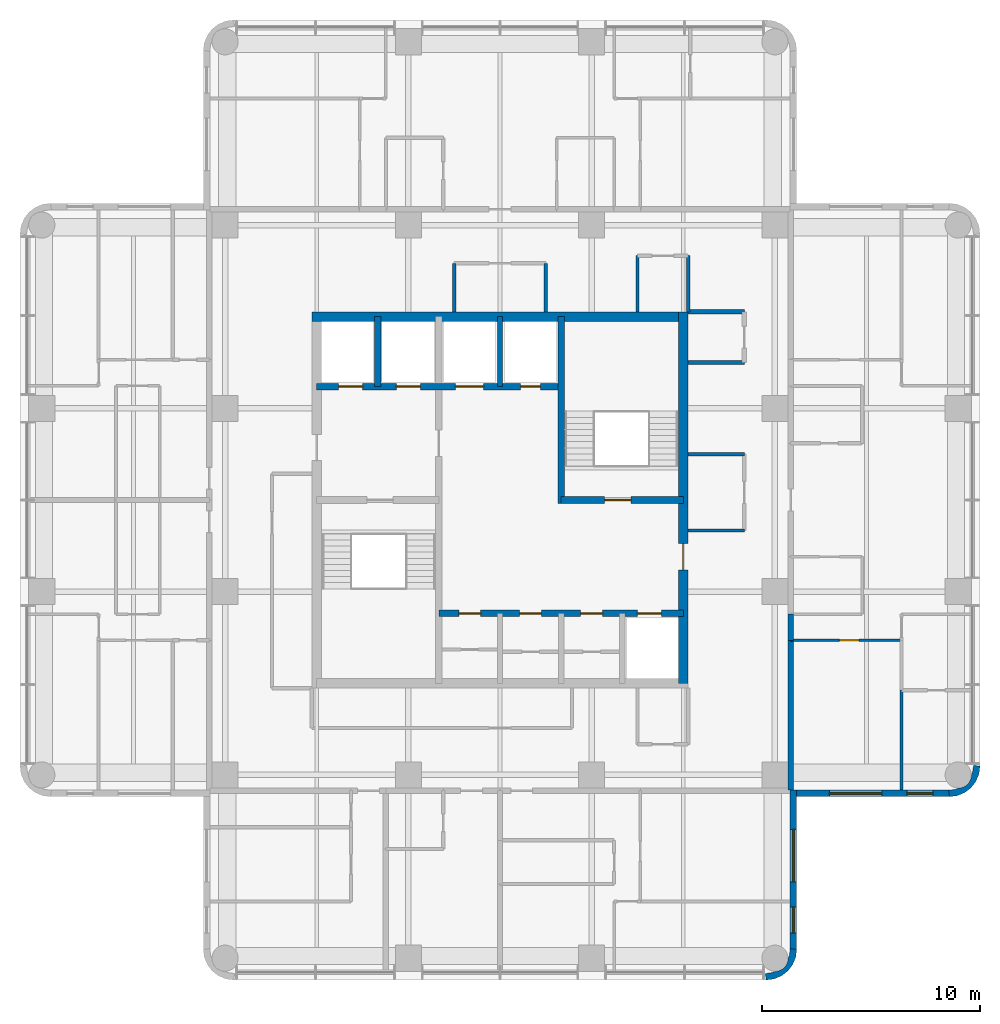
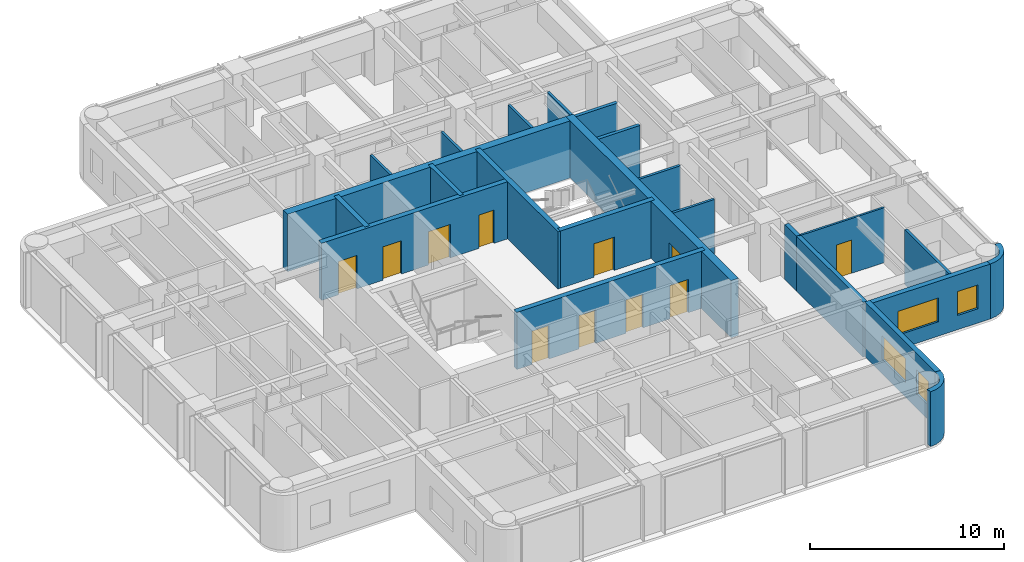
# One storey, part 6 of 10: 24 walls, 11 doors, 4 windows, 15 openings.
"""IFC4 building model written with IfcOpenShell, lengths in metres."""

from ifc_helpers import new_model, si_unit, direction, frame, frame_2d, origin, place, context, subcontext, project, spatial, polyline, rectangle, outline, extrude, material, layer, layer_set, type_object, element, fill, save


model = new_model("IFC4")

# Units and contexts
model_context = context("Model", 3, precision=1e-05, world=origin(), true_north=direction((0.0, 1.0)))
body_context = subcontext(model_context, "Body", "Model", "MODEL_VIEW")
ifc_project = project(units=[si_unit("LENGTHUNIT", "METRE"), si_unit("AREAUNIT", "SQUARE_METRE"), si_unit("VOLUMEUNIT", "CUBIC_METRE"), si_unit("PLANEANGLEUNIT", "RADIAN"), si_unit("MASSUNIT", "GRAM", prefix="KILO")], contexts=[model_context])

# Site, building, storey
site_placement = place(None, origin())
site = spatial("IfcSite", under=ifc_project, at=site_placement, CompositionType="ELEMENT")
building_placement = place(site_placement, origin())
building = spatial("IfcBuilding", under=site, at=building_placement, Name="Torre Alcanfor", CompositionType="ELEMENT")
storey_placement = place(building_placement, frame((0.0, 0.0, 264.89990234375)))
storey = spatial("IfcBuildingStorey", under=building, at=storey_placement, Name="L69", CompositionType="ELEMENT", Elevation=264.89990234375)

# Walls
ifc_material_1 = material(Name="Concrete block masonry, hollow blocks NMX-C-404 9 MPa", Category="masonry")
ifc_layer_1 = layer(ifc_material_1, 0.25)
ifc_layer_set_1 = layer_set([ifc_layer_1], Name="Apartment entrance wall 250 EI 60")
wall_type_1 = type_object("IfcWallType", Name="Apartment entrance wall 250 EI 60", PredefinedType="PARTITIONING", material=ifc_layer_set_1)
wall_1_placement = place(storey_placement, frame((42.72509765625, 24.1708984375, 0.0), z_axis=(0.0, 0.0, 1.0), x_axis=(0.0, -1.0, 0.0)))
element("IfcWall", 1, at=wall_1_placement, inside=storey, type_object=wall_type_1, Name="Partition L69-CORR / L69-EX-LIVING", PredefinedType="PARTITIONING", context=body_context, shape_type="SweptSolid", body=[
    extrude(rectangle(XDim=1.199951171875, YDim=0.25, at=frame_2d((0.60009765625, 0.0))), origin(), (0.0, 0.0, 1.0), 3.4501953125),
])
wall_2_placement = place(storey_placement, frame((42.72509765625, 22.970947265625, 0.0), z_axis=(0.0, 0.0, 1.0), x_axis=(0.0, -1.0, 0.0)))
element("IfcWall", 2, at=wall_2_placement, inside=storey, type_object=wall_type_1, Name="Partition L69-CORR / L69-EX-BED3", PredefinedType="PARTITIONING", context=body_context, shape_type="SweptSolid", body=[
    extrude(rectangle(XDim=6.870849609375, YDim=0.25, at=frame_2d((3.435546875, 0.0))), origin(), (0.0, 0.0, 1.0), 3.4501953125),
])

# Wall, opening, door
ifc_material_2 = material(Name="Gypsum board on steel studs", Category="steel")
ifc_layer_2 = layer(ifc_material_2, 0.1201171875)
ifc_layer_set_2 = layer_set([ifc_layer_2], Name="Apartment partition 120")
wall_type_2 = type_object("IfcWallType", Name="Apartment partition 120", PredefinedType="PARTITIONING", material=ifc_layer_set_2)
wall_3_placement = place(storey_placement, frame((47.800048828125, 22.970947265625, 0.0), z_axis=(0.0, 0.0, 1.0), x_axis=(-1.0, 0.0, 0.0)))
wall_3 = element("IfcWall", 3, at=wall_3_placement, inside=storey, type_object=wall_type_2, Name="Partition L69-EX-LIVING / L69-EX-BED3", PredefinedType="PARTITIONING", context=body_context, shape_type="SweptSolid", body=[
    extrude(rectangle(XDim=5.074951171875, YDim=0.1201171875, at=frame_2d((2.53759765625, 0.0))), origin(), (0.0, 0.0, 1.0), 3.4501953125),
])
opening_1_placement = place(wall_3_placement, frame((1.949951171875, 0.0, 0.0)))
opening_1 = element("IfcOpeningElement", 4, at=opening_1_placement, cuts=wall_3, Name="Opening D-R1", PredefinedType="OPENING", context=body_context, shape_type="SweptSolid", body=[
    extrude(rectangle(XDim=0.89990234375, YDim=2.10009765625, at=frame_2d((0.449951171875, 1.050048828125))), frame((0.0, 0.070068359375, 0.0), z_axis=(0.0, -1.0, 0.0), x_axis=(1.0, 0.0, 0.0)), (0.0, 0.0, 1.0), 0.14013671875),
])
ifc_material_3 = material(Name="Timber", Category="wood")
door_type_1 = type_object("IfcDoorType", Name="Internal door 900x2100", OperationType="SINGLE_SWING_LEFT", PredefinedType="DOOR", material=ifc_material_3)
door_1_placement = place(opening_1_placement, origin())
door_1 = element("IfcDoor", 5, at=door_1_placement, inside=storey, type_object=door_type_1, Name="Door L69-EX bed3", OperationType="SINGLE_SWING_LEFT", OverallHeight=2.10009765625, OverallWidth=0.89990234375, PredefinedType="DOOR", context=body_context, shape_type="SweptSolid", body=[
    extrude(rectangle(XDim=0.89990234375, YDim=2.10009765625, at=frame_2d((0.449951171875, 1.050048828125))), frame((0.0, 0.02490234375, 0.0), z_axis=(0.0, -1.0, 0.0), x_axis=(1.0, 0.0, 0.0)), (0.0, 0.0, 1.0), 0.050048828125),
])
fill(opening_1, door_1)

# Wall, openings, doors
ifc_material_4 = material(Name="Concrete f'c 70 MPa", Category="concrete")
ifc_layer_3 = layer(ifc_material_4, 0.300048828125)
ifc_layer_set_3 = layer_set([ifc_layer_3], Name="Core inner wall 300 f'c70")
wall_type_3 = type_object("IfcWallType", Name="Core inner wall 300 f'c70", PredefinedType="SHEAR", material=ifc_layer_set_3)
wall_4_placement = place(storey_placement, frame((21.0, 34.60009765625, 0.0), z_axis=(0.0, 0.0, 1.0), x_axis=(1.0, 0.0, 0.0)))
wall_4 = element("IfcWall", 6, at=wall_4_placement, inside=storey, type_object=wall_type_3, Name="Core wall Y346 L69", PredefinedType="SHEAR", context=body_context, shape_type="SweptSolid", body=[
    extrude(rectangle(XDim=11.199951171875, YDim=0.300048828125, at=frame_2d((5.60009765625, 0.0))), origin(), (0.0, 0.0, 1.0), 3.60009765625),
])
opening_2_placement = place(wall_4_placement, frame((9.35009765625, 0.0, 0.0)))
opening_2 = element("IfcOpeningElement", 7, at=opening_2_placement, cuts=wall_4, Name="Opening D-Q1", PredefinedType="OPENING", context=body_context, shape_type="SweptSolid", body=[
    extrude(rectangle(XDim=0.89990234375, YDim=2.10009765625, at=frame_2d((0.449951171875, 1.050048828125))), frame((0.0, 0.159912109375, 0.0), z_axis=(0.0, -1.0, 0.0), x_axis=(1.0, 0.0, 0.0)), (0.0, 0.0, 1.0), 0.320068359375),
])
opening_3_placement = place(wall_4_placement, frame((1.0, 0.0, 0.0)))
opening_3 = element("IfcOpeningElement", 8, at=opening_3_placement, cuts=wall_4, Name="Opening LD2", PredefinedType="OPENING", context=body_context, shape_type="SweptSolid", body=[
    extrude(rectangle(XDim=1.10009765625, YDim=2.10009765625, at=frame_2d((0.550048828125, 1.050048828125))), frame((0.0, 0.159912109375, 0.0), z_axis=(0.0, -1.0, 0.0), x_axis=(1.0, 0.0, 0.0)), (0.0, 0.0, 1.0), 0.320068359375),
])
opening_4_placement = place(wall_4_placement, frame((3.64990234375, 0.0, 0.0)))
opening_4 = element("IfcOpeningElement", 9, at=opening_4_placement, cuts=wall_4, Name="Opening LD2", PredefinedType="OPENING", context=body_context, shape_type="SweptSolid", body=[
    extrude(rectangle(XDim=1.10009765625, YDim=2.10009765625, at=frame_2d((0.550048828125, 1.050048828125))), frame((0.0, 0.159912109375, 0.0), z_axis=(0.0, -1.0, 0.0), x_axis=(1.0, 0.0, 0.0)), (0.0, 0.0, 1.0), 0.320068359375),
])
opening_5_placement = place(wall_4_placement, frame((6.35009765625, 0.0, 0.0)))
opening_5 = element("IfcOpeningElement", 10, at=opening_5_placement, cuts=wall_4, Name="Opening LD3", PredefinedType="OPENING", context=body_context, shape_type="SweptSolid", body=[
    extrude(rectangle(XDim=1.300048828125, YDim=2.10009765625, at=frame_2d((0.64990234375, 1.050048828125))), frame((0.0, 0.159912109375, 0.0), z_axis=(0.0, -1.0, 0.0), x_axis=(1.0, 0.0, 0.0)), (0.0, 0.0, 1.0), 0.320068359375),
])
ifc_material_5 = material(Name="Galvanised steel sheet ASTM A653", Category="steel")
door_type_2 = type_object("IfcDoorType", Name="Firefighting lift landing door 1100x2100", OperationType="DOUBLE_DOOR_SLIDING", PredefinedType="DOOR", material=ifc_material_5)
door_2_placement = place(opening_3_placement, origin())
door_2 = element("IfcDoor", 11, at=door_2_placement, inside=storey, type_object=door_type_2, Name="Lift landing door FL1 L69", OperationType="DOUBLE_DOOR_SLIDING", OverallHeight=2.10009765625, OverallWidth=1.10009765625, PredefinedType="DOOR", context=body_context, shape_type="SweptSolid", body=[
    extrude(rectangle(XDim=1.10009765625, YDim=2.10009765625, at=frame_2d((0.550048828125, 1.050048828125))), frame((0.0, 0.02490234375, 0.0), z_axis=(0.0, -1.0, 0.0), x_axis=(1.0, 0.0, 0.0)), (0.0, 0.0, 1.0), 0.050048828125),
])
fill(opening_3, door_2)
door_3_placement = place(opening_4_placement, origin())
door_3 = element("IfcDoor", 12, at=door_3_placement, inside=storey, type_object=door_type_2, Name="Lift landing door FL2 L69", OperationType="DOUBLE_DOOR_SLIDING", OverallHeight=2.10009765625, OverallWidth=1.10009765625, PredefinedType="DOOR", context=body_context, shape_type="SweptSolid", body=[
    extrude(rectangle(XDim=1.10009765625, YDim=2.10009765625, at=frame_2d((0.550048828125, 1.050048828125))), frame((0.0, 0.02490234375, 0.0), z_axis=(0.0, -1.0, 0.0), x_axis=(1.0, 0.0, 0.0)), (0.0, 0.0, 1.0), 0.050048828125),
])
fill(opening_4, door_3)
ifc_material_6 = material(Name="Galvanised steel sheet ASTM A653", Category="steel")
door_type_3 = type_object("IfcDoorType", Name="Riser access door FD120 900x2100", OperationType="SINGLE_SWING_LEFT", PredefinedType="DOOR", material=ifc_material_6)
door_4_placement = place(opening_2_placement, origin())
door_4 = element("IfcDoor", 13, at=door_4_placement, inside=storey, type_object=door_type_3, Name="Riser door L69", OperationType="SINGLE_SWING_LEFT", OverallHeight=2.10009765625, OverallWidth=0.89990234375, PredefinedType="DOOR", context=body_context, shape_type="SweptSolid", body=[
    extrude(rectangle(XDim=0.89990234375, YDim=2.10009765625, at=frame_2d((0.449951171875, 1.050048828125))), frame((0.0, 0.02490234375, 0.0), z_axis=(0.0, -1.0, 0.0), x_axis=(1.0, 0.0, 0.0)), (0.0, 0.0, 1.0), 0.050048828125),
])
fill(opening_2, door_4)
ifc_material_7 = material(Name="Galvanised steel sheet ASTM A653", Category="steel")
door_type_4 = type_object("IfcDoorType", Name="Service lift landing door 1300x2100", OperationType="DOUBLE_DOOR_SLIDING", PredefinedType="DOOR", material=ifc_material_7)
door_5_placement = place(opening_5_placement, origin())
door_5 = element("IfcDoor", 14, at=door_5_placement, inside=storey, type_object=door_type_4, Name="Lift landing door SL1 L69", OperationType="DOUBLE_DOOR_SLIDING", OverallHeight=2.10009765625, OverallWidth=1.300048828125, PredefinedType="DOOR", context=body_context, shape_type="SweptSolid", body=[
    extrude(rectangle(XDim=1.300048828125, YDim=2.10009765625, at=frame_2d((0.64990234375, 1.050048828125))), frame((0.0, 0.02490234375, 0.0), z_axis=(0.0, -1.0, 0.0), x_axis=(1.0, 0.0, 0.0)), (0.0, 0.0, 1.0), 0.050048828125),
])
fill(opening_5, door_5)

# Wall
wall_5_placement = place(storey_placement, frame((23.800048828125, 34.60009765625, 0.0), z_axis=(0.0, 0.0, 1.0), x_axis=(0.0, 1.0, 0.0)))
element("IfcWall", 15, at=wall_5_placement, inside=storey, type_object=wall_type_3, Name="Core wall X238 L69", PredefinedType="SHEAR", context=body_context, shape_type="SweptSolid", body=[
    extrude(rectangle(XDim=3.199951171875, YDim=0.300048828125, at=frame_2d((1.60009765625, 0.0))), origin(), (0.0, 0.0, 1.0), 3.60009765625),
])

# Wall, openings, doors
wall_6_placement = place(storey_placement, frame((26.60009765625, 24.199951171875, 0.0), z_axis=(0.0, 0.0, 1.0), x_axis=(1.0, 0.0, 0.0)))
wall_6 = element("IfcWall", 16, at=wall_6_placement, inside=storey, type_object=wall_type_3, Name="Core wall Y242 L69", PredefinedType="SHEAR", context=body_context, shape_type="SweptSolid", body=[
    extrude(rectangle(XDim=11.199951171875, YDim=0.300048828125, at=frame_2d((5.60009765625, 0.0))), origin(), (0.0, 0.0, 1.0), 3.60009765625),
])
opening_6_placement = place(wall_6_placement, frame((0.91259765625, 0.0, 0.0)))
opening_6 = element("IfcOpeningElement", 17, at=opening_6_placement, cuts=wall_6, Name="Opening D-K1", PredefinedType="OPENING", context=body_context, shape_type="SweptSolid", body=[
    extrude(rectangle(XDim=1.0, YDim=2.10009765625, at=frame_2d((0.5, 1.050048828125))), frame((0.0, 0.159912109375, 0.0), z_axis=(0.0, -1.0, 0.0), x_axis=(1.0, 0.0, 0.0)), (0.0, 0.0, 1.0), 0.320068359375),
])
opening_7_placement = place(wall_6_placement, frame((3.699951171875, 0.0, 0.0)))
opening_7 = element("IfcOpeningElement", 18, at=opening_7_placement, cuts=wall_6, Name="Opening D-K1", PredefinedType="OPENING", context=body_context, shape_type="SweptSolid", body=[
    extrude(rectangle(XDim=1.0, YDim=2.10009765625, at=frame_2d((0.5, 1.050048828125))), frame((0.0, 0.159912109375, 0.0), z_axis=(0.0, -1.0, 0.0), x_axis=(1.0, 0.0, 0.0)), (0.0, 0.0, 1.0), 0.320068359375),
])
opening_8_placement = place(wall_6_placement, frame((6.5, 0.0, 0.0)))
opening_8 = element("IfcOpeningElement", 19, at=opening_8_placement, cuts=wall_6, Name="Opening D-K1", PredefinedType="OPENING", context=body_context, shape_type="SweptSolid", body=[
    extrude(rectangle(XDim=1.0, YDim=2.10009765625, at=frame_2d((0.5, 1.050048828125))), frame((0.0, 0.159912109375, 0.0), z_axis=(0.0, -1.0, 0.0), x_axis=(1.0, 0.0, 0.0)), (0.0, 0.0, 1.0), 0.320068359375),
])
opening_9_placement = place(wall_6_placement, frame((9.10009765625, 0.0, 0.0)))
opening_9 = element("IfcOpeningElement", 20, at=opening_9_placement, cuts=wall_6, Name="Opening LD1", PredefinedType="OPENING", context=body_context, shape_type="SweptSolid", body=[
    extrude(rectangle(XDim=1.10009765625, YDim=2.10009765625, at=frame_2d((0.550048828125, 1.050048828125))), frame((0.0, 0.159912109375, 0.0), z_axis=(0.0, -1.0, 0.0), x_axis=(1.0, 0.0, 0.0)), (0.0, 0.0, 1.0), 0.320068359375),
])
ifc_material_8 = material(Name="Galvanised steel sheet ASTM A653", Category="steel")
door_type_5 = type_object("IfcDoorType", Name="Core room door FD60 1000x2100", OperationType="SINGLE_SWING_LEFT", PredefinedType="DOOR", material=ifc_material_8)
door_6_placement = place(opening_6_placement, frame((1.0, 0.0, 0.0), z_axis=(0.0, 0.0, 1.0), x_axis=(-1.0, 0.0, 0.0)))
door_6 = element("IfcDoor", 21, at=door_6_placement, inside=storey, type_object=door_type_5, Name="Residents' storage door L69", OperationType="SINGLE_SWING_RIGHT", OverallHeight=2.10009765625, OverallWidth=1.0, PredefinedType="DOOR", context=body_context, shape_type="SweptSolid", body=[
    extrude(rectangle(XDim=1.0, YDim=2.10009765625, at=frame_2d((0.5, 1.050048828125))), frame((0.0, 0.025146484375, 0.0), z_axis=(0.0, -1.0, 0.0), x_axis=(1.0, 0.0, 0.0)), (0.0, 0.0, 1.0), 0.050048828125),
])
fill(opening_6, door_6)
door_7_placement = place(opening_7_placement, frame((1.0, 0.0, 0.0), z_axis=(0.0, 0.0, 1.0), x_axis=(-1.0, 0.0, 0.0)))
door_7 = element("IfcDoor", 22, at=door_7_placement, inside=storey, type_object=door_type_5, Name="Pantry door L69", OperationType="SINGLE_SWING_RIGHT", OverallHeight=2.10009765625, OverallWidth=1.0, PredefinedType="DOOR", context=body_context, shape_type="SweptSolid", body=[
    extrude(rectangle(XDim=1.0, YDim=2.10009765625, at=frame_2d((0.5, 1.050048828125))), frame((0.0, 0.025146484375, 0.0), z_axis=(0.0, -1.0, 0.0), x_axis=(1.0, 0.0, 0.0)), (0.0, 0.0, 1.0), 0.050048828125),
])
fill(opening_7, door_7)
door_8_placement = place(opening_8_placement, frame((1.0, 0.0, 0.0), z_axis=(0.0, 0.0, 1.0), x_axis=(-1.0, 0.0, 0.0)))
door_8 = element("IfcDoor", 23, at=door_8_placement, inside=storey, type_object=door_type_5, Name="Linen store door L69", OperationType="SINGLE_SWING_RIGHT", OverallHeight=2.10009765625, OverallWidth=1.0, PredefinedType="DOOR", context=body_context, shape_type="SweptSolid", body=[
    extrude(rectangle(XDim=1.0, YDim=2.10009765625, at=frame_2d((0.5, 1.050048828125))), frame((0.0, 0.025146484375, 0.0), z_axis=(0.0, -1.0, 0.0), x_axis=(1.0, 0.0, 0.0)), (0.0, 0.0, 1.0), 0.050048828125),
])
fill(opening_8, door_8)
ifc_material_9 = material(Name="Galvanised steel sheet ASTM A653", Category="steel")
door_type_6 = type_object("IfcDoorType", Name="Lift landing door 1100x2100", OperationType="DOUBLE_DOOR_SLIDING", PredefinedType="DOOR", material=ifc_material_9)
door_9_placement = place(opening_9_placement, origin())
door_9 = element("IfcDoor", 24, at=door_9_placement, inside=storey, type_object=door_type_6, Name="Lift landing door PA4 L69", OperationType="DOUBLE_DOOR_SLIDING", OverallHeight=2.10009765625, OverallWidth=1.10009765625, PredefinedType="DOOR", context=body_context, shape_type="SweptSolid", body=[
    extrude(rectangle(XDim=1.10009765625, YDim=2.10009765625, at=frame_2d((0.550048828125, 1.050048828125))), frame((0.0, 0.02490234375, 0.0), z_axis=(0.0, -1.0, 0.0), x_axis=(1.0, 0.0, 0.0)), (0.0, 0.0, 1.0), 0.050048828125),
])
fill(opening_9, door_9)

# Wall
wall_7_placement = place(storey_placement, frame((32.199951171875, 29.25, 0.0), z_axis=(0.0, 0.0, 1.0), x_axis=(0.0, 1.0, 0.0)))
element("IfcWall", 25, at=wall_7_placement, inside=storey, type_object=wall_type_3, Name="Core wall X322N L69", PredefinedType="SHEAR", context=body_context, shape_type="SweptSolid", body=[
    extrude(rectangle(XDim=8.550048828125, YDim=0.300048828125, at=frame_2d((4.27490234375, 0.0))), origin(), (0.0, 0.0, 1.0), 3.60009765625),
])

# Wall, opening, door
wall_8_placement = place(storey_placement, frame((32.199951171875, 29.39990234375, 0.0), z_axis=(0.0, 0.0, 1.0), x_axis=(1.0, 0.0, 0.0)))
wall_8 = element("IfcWall", 26, at=wall_8_placement, inside=storey, type_object=wall_type_3, Name="Core wall Y294E L69", PredefinedType="SHEAR", context=body_context, shape_type="SweptSolid", body=[
    extrude(rectangle(XDim=5.60009765625, YDim=0.300048828125, at=frame_2d((2.800048828125, 0.0))), origin(), (0.0, 0.0, 1.0), 3.60009765625),
])
opening_10_placement = place(wall_8_placement, frame((2.0, 0.0, 0.0)))
opening_10 = element("IfcOpeningElement", 27, at=opening_10_placement, cuts=wall_8, Name="Opening D-S2", PredefinedType="OPENING", context=body_context, shape_type="SweptSolid", body=[
    extrude(rectangle(XDim=1.199951171875, YDim=2.10009765625, at=frame_2d((0.60009765625, 1.050048828125))), frame((0.0, 0.159912109375, 0.0), z_axis=(0.0, -1.0, 0.0), x_axis=(1.0, 0.0, 0.0)), (0.0, 0.0, 1.0), 0.320068359375),
])
ifc_material_10 = material(Name="Galvanised steel sheet ASTM A653", Category="steel")
door_type_7 = type_object("IfcDoorType", Name="Stair enclosure door FD120 1200x2100", OperationType="SINGLE_SWING_LEFT", PredefinedType="DOOR", material=ifc_material_10)
door_10_placement = place(opening_10_placement, origin())
door_10 = element("IfcDoor", 28, at=door_10_placement, inside=storey, type_object=door_type_7, Name="Stair S2 door L69", OperationType="SINGLE_SWING_LEFT", OverallHeight=2.10009765625, OverallWidth=1.199951171875, PredefinedType="DOOR", context=body_context, shape_type="SweptSolid", body=[
    extrude(rectangle(XDim=1.199951171875, YDim=2.10009765625, at=frame_2d((0.60009765625, 1.050048828125))), frame((0.0, 0.02490234375, 0.0), z_axis=(0.0, -1.0, 0.0), x_axis=(1.0, 0.0, 0.0)), (0.0, 0.0, 1.0), 0.050048828125),
])
fill(opening_10, door_10)

# Wall
ifc_material_11 = material(Name="Concrete f'c 70 MPa", Category="concrete")
ifc_layer_4 = layer(ifc_material_11, 0.25)
ifc_layer_set_4 = layer_set([ifc_layer_4], Name="Core shaft wall 250 f'c70")
wall_type_4 = type_object("IfcWallType", Name="Core shaft wall 250 f'c70", PredefinedType="SHEAR", material=ifc_layer_set_4)
wall_9_placement = place(storey_placement, frame((29.39990234375, 34.60009765625, 0.0), z_axis=(0.0, 0.0, 1.0), x_axis=(0.0, 1.0, 0.0)))
element("IfcWall", 29, at=wall_9_placement, inside=storey, type_object=wall_type_4, Name="Core wall X294N L69", PredefinedType="SHEAR", context=body_context, shape_type="SweptSolid", body=[
    extrude(rectangle(XDim=3.199951171875, YDim=0.25, at=frame_2d((1.60009765625, 0.0))), origin(), (0.0, 0.0, 1.0), 3.60009765625),
])

# Wall, opening, door
ifc_material_12 = material(Name="Concrete f'c 70 MPa", Category="concrete")
ifc_layer_5 = layer(ifc_material_12, 0.449951171875)
ifc_layer_set_5 = layer_set([ifc_layer_5], Name="Core wall 450 f'c70")
wall_type_5 = type_object("IfcWallType", Name="Core wall 450 f'c70", PredefinedType="SHEAR", material=ifc_layer_set_5)
wall_10_placement = place(storey_placement, frame((37.800048828125, 21.0, 0.0), z_axis=(0.0, 0.0, 1.0), x_axis=(0.0, 1.0, 0.0)))
wall_10 = element("IfcWall", 30, at=wall_10_placement, inside=storey, type_object=wall_type_5, Name="Core wall OUT-E L69", PredefinedType="SHEAR", context=body_context, shape_type="SweptSolid", body=[
    extrude(rectangle(XDim=17.02490234375, YDim=0.449951171875, at=frame_2d((8.512451171875, 0.0))), origin(), (0.0, 0.0, 1.0), 3.60009765625),
])
opening_11_placement = place(wall_10_placement, frame((5.199951171875, 0.0, 0.0)))
opening_11 = element("IfcOpeningElement", 31, at=opening_11_placement, cuts=wall_10, Name="Opening D-L1", PredefinedType="OPENING", context=body_context, shape_type="SweptSolid", body=[
    extrude(rectangle(XDim=1.199951171875, YDim=2.10009765625, at=frame_2d((0.60009765625, 1.050048828125))), frame((0.0, 0.23486328125, 0.0), z_axis=(0.0, -1.0, 0.0), x_axis=(1.0, 0.0, 0.0)), (0.0, 0.0, 1.0), 0.469970703125),
])
ifc_material_13 = material(Name="Galvanised steel sheet ASTM A653", Category="steel")
door_type_8 = type_object("IfcDoorType", Name="Lobby door FD120 1200x2100", OperationType="SINGLE_SWING_LEFT", PredefinedType="DOOR", material=ifc_material_13)
door_11_placement = place(opening_11_placement, origin())
door_11 = element("IfcDoor", 32, at=door_11_placement, inside=storey, type_object=door_type_8, Name="Lift lobby entrance door L69", OperationType="SINGLE_SWING_LEFT", OverallHeight=2.10009765625, OverallWidth=1.199951171875, PredefinedType="DOOR", context=body_context, shape_type="SweptSolid", body=[
    extrude(rectangle(XDim=1.199951171875, YDim=2.10009765625, at=frame_2d((0.60009765625, 1.050048828125))), frame((0.0, 0.02490234375, 0.0), z_axis=(0.0, -1.0, 0.0), x_axis=(1.0, 0.0, 0.0)), (0.0, 0.0, 1.0), 0.050048828125),
])
fill(opening_11, door_11)

# Wall
wall_11_placement = place(storey_placement, frame((37.800048828125, 37.800048828125, 0.0), z_axis=(0.0, 0.0, 1.0), x_axis=(-1.0, 0.0, 0.0)))
element("IfcWall", 33, at=wall_11_placement, inside=storey, type_object=wall_type_5, Name="Core wall OUT-N L69", PredefinedType="SHEAR", context=body_context, shape_type="SweptSolid", body=[
    extrude(rectangle(XDim=17.025146484375, YDim=0.449951171875, at=frame_2d((8.5126953125, 0.0))), origin(), (0.0, 0.0, 1.0), 3.60009765625),
])

# Wall, openings, windows
ifc_material_14 = material(Name="Limestone cladding", Category="masonry")
ifc_layer_6 = layer(ifc_material_14, 0.0400390625, Name="Facing")
ifc_material_15 = material(Name="Ventilated air cavity")
ifc_layer_7 = layer(ifc_material_15, 0.02001953125, ventilated=True, Name="Ventilated joint")
ifc_material_16 = material(Name="Mineral wool insulation", Category="insulation")
ifc_layer_8 = layer(ifc_material_16, 0.10009765625, Name="Insulation")
ifc_material_17 = material(Name="Concrete f'c 35 MPa", Category="concrete")
ifc_layer_9 = layer(ifc_material_17, 0.139892578125, Name="Backing")
ifc_layer_set_6 = layer_set([ifc_layer_6, ifc_layer_7, ifc_layer_8, ifc_layer_9], Name="External wall stone-clad 300")
wall_type_6 = type_object("IfcWallType", Name="External wall stone-clad 300", PredefinedType="SOLIDWALL", material=ifc_layer_set_6)
wall_12_placement = place(storey_placement, frame((42.85009765625, 8.800048828125, 0.0), z_axis=(0.0, 0.0, 1.0), x_axis=(0.0, 1.0, 0.0)))
wall_12 = element("IfcWall", 34, at=wall_12_placement, inside=storey, type_object=wall_type_6, Name="External wall L69 6", PredefinedType="SOLIDWALL", context=body_context, shape_type="SweptSolid", body=[
    extrude(rectangle(XDim=7.300048828125, YDim=0.300048828125, at=frame_2d((3.64990234375, 0.0))), origin(), (0.0, 0.0, 1.0), 3.4501953125),
])
opening_12_placement = place(wall_12_placement, frame((3.10009765625, 0.0, 0.89990234375)))
opening_12 = element("IfcOpeningElement", 35, at=opening_12_placement, cuts=wall_12, Name="Opening W1", PredefinedType="OPENING", context=body_context, shape_type="SweptSolid", body=[
    extrude(rectangle(XDim=2.39990234375, YDim=1.5, at=frame_2d((1.199951171875, 0.75))), frame((0.0, 0.159912109375, 0.0), z_axis=(0.0, -1.0, 0.0), x_axis=(1.0, 0.0, 0.0)), (0.0, 0.0, 1.0), 0.320068359375),
])
opening_13_placement = place(wall_12_placement, frame((0.75, 0.0, 0.89990234375)))
opening_13 = element("IfcOpeningElement", 36, at=opening_13_placement, cuts=wall_12, Name="Opening W4", PredefinedType="OPENING", context=body_context, shape_type="SweptSolid", body=[
    extrude(rectangle(XDim=1.199951171875, YDim=1.5, at=frame_2d((0.60009765625, 0.75))), frame((0.0, 0.159912109375, 0.0), z_axis=(0.0, -1.0, 0.0), x_axis=(1.0, 0.0, 0.0)), (0.0, 0.0, 1.0), 0.320068359375),
])
ifc_material_18 = material(Name="Aluminium frame with clear double glazing", Category="aluminium")
window_type_1 = type_object("IfcWindowType", Name="Window bedroom 1200x1500", PartitioningType="SINGLE_PANEL", PredefinedType="WINDOW", material=ifc_material_18)
window_1_placement = place(opening_13_placement, origin())
window_1 = element("IfcWindow", 37, at=window_1_placement, inside=storey, type_object=window_type_1, Name="Window W4 L69-S1", OverallHeight=1.5, OverallWidth=1.199951171875, PartitioningType="SINGLE_PANEL", PredefinedType="WINDOW", context=body_context, shape_type="SweptSolid", body=[
    extrude(rectangle(XDim=1.199951171875, YDim=1.5, at=frame_2d((0.60009765625, 0.75))), frame((0.0, 0.030029296875, 0.0), z_axis=(0.0, -1.0, 0.0), x_axis=(1.0, 0.0, 0.0)), (0.0, 0.0, 1.0), 0.06005859375),
])
fill(opening_13, window_1)
ifc_material_19 = material(Name="Aluminium frame with clear double glazing", Category="aluminium")
window_type_2 = type_object("IfcWindowType", Name="Window bedroom 2400x1500", PartitioningType="SINGLE_PANEL", PredefinedType="WINDOW", material=ifc_material_19)
window_2_placement = place(opening_12_placement, origin())
window_2 = element("IfcWindow", 38, at=window_2_placement, inside=storey, type_object=window_type_2, Name="Window W1 L69-S1", OverallHeight=1.5, OverallWidth=2.39990234375, PartitioningType="SINGLE_PANEL", PredefinedType="WINDOW", context=body_context, shape_type="SweptSolid", body=[
    extrude(rectangle(XDim=2.39990234375, YDim=1.5, at=frame_2d((1.199951171875, 0.75))), frame((0.0, 0.030029296875, 0.0), z_axis=(0.0, -1.0, 0.0), x_axis=(1.0, 0.0, 0.0)), (0.0, 0.0, 1.0), 0.06005859375),
])
fill(opening_12, window_2)

wall_13_placement = place(storey_placement, frame((43.0, 15.949951171875, 0.0), z_axis=(0.0, 0.0, 1.0), x_axis=(1.0, 0.0, 0.0)))
wall_13 = element("IfcWall", 39, at=wall_13_placement, inside=storey, type_object=wall_type_6, Name="External wall L69 7", PredefinedType="SOLIDWALL", context=body_context, shape_type="SweptSolid", body=[
    extrude(rectangle(XDim=7.0, YDim=0.300048828125, at=frame_2d((3.5, 0.0))), origin(), (0.0, 0.0, 1.0), 3.4501953125),
])
opening_14_placement = place(wall_13_placement, frame((1.5, 0.0, 0.89990234375)))
opening_14 = element("IfcOpeningElement", 40, at=opening_14_placement, cuts=wall_13, Name="Opening W1", PredefinedType="OPENING", context=body_context, shape_type="SweptSolid", body=[
    extrude(rectangle(XDim=2.39990234375, YDim=1.5, at=frame_2d((1.199951171875, 0.75))), frame((0.0, 0.159912109375, 0.0), z_axis=(0.0, -1.0, 0.0), x_axis=(1.0, 0.0, 0.0)), (0.0, 0.0, 1.0), 0.320068359375),
])
opening_15_placement = place(wall_13_placement, frame((5.050048828125, 0.0, 0.89990234375)))
opening_15 = element("IfcOpeningElement", 41, at=opening_15_placement, cuts=wall_13, Name="Opening W4", PredefinedType="OPENING", context=body_context, shape_type="SweptSolid", body=[
    extrude(rectangle(XDim=1.199951171875, YDim=1.5, at=frame_2d((0.60009765625, 0.75))), frame((0.0, 0.159912109375, 0.0), z_axis=(0.0, -1.0, 0.0), x_axis=(1.0, 0.0, 0.0)), (0.0, 0.0, 1.0), 0.320068359375),
])
window_3_placement = place(opening_15_placement, origin())
window_3 = element("IfcWindow", 42, at=window_3_placement, inside=storey, type_object=window_type_1, Name="Window W4 L69-E2", OverallHeight=1.5, OverallWidth=1.199951171875, PartitioningType="SINGLE_PANEL", PredefinedType="WINDOW", context=body_context, shape_type="SweptSolid", body=[
    extrude(rectangle(XDim=1.199951171875, YDim=1.5, at=frame_2d((0.60009765625, 0.75))), frame((0.0, 0.030029296875, 0.0), z_axis=(0.0, -1.0, 0.0), x_axis=(1.0, 0.0, 0.0)), (0.0, 0.0, 1.0), 0.06005859375),
])
fill(opening_15, window_3)
window_4_placement = place(opening_14_placement, origin())
window_4 = element("IfcWindow", 43, at=window_4_placement, inside=storey, type_object=window_type_2, Name="Window W1 L69-E2", OverallHeight=1.5, OverallWidth=2.39990234375, PartitioningType="SINGLE_PANEL", PredefinedType="WINDOW", context=body_context, shape_type="SweptSolid", body=[
    extrude(rectangle(XDim=2.39990234375, YDim=1.5, at=frame_2d((1.199951171875, 0.75))), frame((0.0, 0.030029296875, 0.0), z_axis=(0.0, -1.0, 0.0), x_axis=(1.0, 0.0, 0.0)), (0.0, 0.0, 1.0), 0.06005859375),
])
fill(opening_14, window_4)

# Walls
ifc_material_20 = material(Name="Concrete block masonry, hollow blocks NMX-C-404 9 MPa", Category="masonry")
ifc_layer_10 = layer(ifc_material_20, 0.199951171875)
ifc_layer_set_7 = layer_set([ifc_layer_10], Name="Plant room wall 200 EI 60")
wall_type_7 = type_object("IfcWallType", Name="Plant room wall 200 EI 60", PredefinedType="PARTITIONING", material=ifc_layer_set_7)
for number, where, z_axis, x_axis, name in (
    (44, (38.02490234375, 35.699951171875, 0.0), (0.0, 0.0, 1.0), (1.0, 0.0, 0.0), "Partition L69-CORR / L69-G04"),
    (45, (40.60009765625, 38.02490234375, 0.0), (0.0, 0.0, 1.0), (-1.0, 0.0, 0.0), "Partition L69-CORR / L69-G04"),
):
    element("IfcWall", number, at=place(storey_placement, frame(where, z_axis=z_axis, x_axis=x_axis)), inside=storey, type_object=wall_type_7, Name=name, PredefinedType="PARTITIONING", context=body_context, shape_type="SweptSolid", body=[
        extrude(rectangle(XDim=2.5751953125, YDim=0.199951171875, at=frame_2d((1.28759765625, 0.0))), origin(), (0.0, 0.0, 1.0), 3.4501953125),
    ])
ifc_material_21 = material(Name="Concrete block masonry, hollow blocks NMX-C-404 9 MPa", Category="masonry")
ifc_layer_11 = layer(ifc_material_21, 0.14990234375)
ifc_layer_set_8 = layer_set([ifc_layer_11], Name="Residents' room partition 150")
wall_type_8 = type_object("IfcWallType", Name="Residents' room partition 150", PredefinedType="PARTITIONING", material=ifc_layer_set_8)
for number, where, z_axis, x_axis, name in (
    (46, (31.5, 38.02490234375, 0.0), (0.0, 0.0, 1.0), (0.0, 1.0, 0.0), "Partition L69-CORR / L69-G01"),
    (47, (27.300048828125, 40.25, 0.0), (0.0, 0.0, 1.0), (0.0, -1.0, 0.0), "Partition L69-CORR / L69-G01"),
):
    element("IfcWall", number, at=place(storey_placement, frame(where, z_axis=z_axis, x_axis=x_axis)), inside=storey, type_object=wall_type_8, Name=name, PredefinedType="PARTITIONING", context=body_context, shape_type="SweptSolid", body=[
        extrude(rectangle(XDim=2.22509765625, YDim=0.14990234375, at=frame_2d((1.112548828125, 0.0))), origin(), (0.0, 0.0, 1.0), 3.4501953125),
    ])
for number, where, z_axis, x_axis, name in (
    (48, (38.02490234375, 38.02490234375, 0.0), (0.0, 0.0, 1.0), (0.0, 1.0, 0.0), "Partition L69-CORR / L69-G02"),
    (49, (35.699951171875, 40.60009765625, 0.0), (0.0, 0.0, 1.0), (0.0, -1.0, 0.0), "Partition L69-CORR / L69-G02"),
    (50, (38.02490234375, 28.0, 0.0), (0.0, 0.0, 1.0), (1.0, 0.0, 0.0), "Partition L69-CORR / L69-G03"),
    (51, (40.60009765625, 31.5, 0.0), (0.0, 0.0, 1.0), (-1.0, 0.0, 0.0), "Partition L69-CORR / L69-G03"),
):
    element("IfcWall", number, at=place(storey_placement, frame(where, z_axis=z_axis, x_axis=x_axis)), inside=storey, type_object=wall_type_8, Name=name, PredefinedType="PARTITIONING", context=body_context, shape_type="SweptSolid", body=[
        extrude(rectangle(XDim=2.5751953125, YDim=0.14990234375, at=frame_2d((1.28759765625, 0.0))), origin(), (0.0, 0.0, 1.0), 3.4501953125),
    ])
ifc_layer_12 = layer(ifc_material_14, 0.0400390625, Name="Facing")
ifc_layer_13 = layer(ifc_material_15, 0.02001953125, ventilated=True, Name="Ventilated joint")
ifc_layer_14 = layer(ifc_material_16, 0.10009765625, Name="Insulation")
ifc_layer_15 = layer(ifc_material_17, 0.139892578125, Name="Backing")
ifc_layer_set_9 = layer_set([ifc_layer_12, ifc_layer_13, ifc_layer_14, ifc_layer_15], Name="Rounded corner pier stone-clad 300")
wall_type_9 = type_object("IfcWallType", Name="Rounded corner pier stone-clad 300", PredefinedType="SOLIDWALL", material=ifc_layer_set_9)
wall_14_placement = place(storey_placement, frame((41.638418254, 7.824101883, 0.0), z_axis=(0.0, 0.0, 1.0), x_axis=(0.707106781187, -0.707106781187, 0.0)))
element("IfcWall", 52, at=wall_14_placement, inside=storey, type_object=wall_type_9, Name="Corner pier L69 16", PredefinedType="SOLIDWALL", context=body_context, shape_type="SweptSolid", body=[
    extrude(outline(polyline([(0.0325517960828704, 1.468682453281438), (0.04670774238592146, 1.4545265069783868), (0.23297927971509252, 1.2116311844370118), (0.29219256729980597, 1.0692085539489986), (0.35796592756154294, 1.0034351936872616), (0.44946167805687254, 0.7824643245664655), (0.44946167805687254, 0.5431943053466035), (0.3577932940700423, 0.322396069717308), (0.2921925672998059, 0.2567953429470716), (0.23315191320659318, 0.1142000789675579), (0.046707742385921465, -0.12886787706531783), (0.03272442957437109, -0.14285118987686818), (0.2728576162517362, -0.3270511253080318), (0.4952095533045373, -0.03702685958698693), (0.6350426814200412, 0.3006442497882296), (0.6826895250742129, 0.6628293149565345), (0.635042681420041, 1.0253596471078406), (0.49520955330453736, 1.3630307564830573), (0.2726849827602357, 1.6528823887126016), (0.0325517960828704, 1.468682453281438)])), origin(), (0.0, 0.0, 1.0), 3.4501953125),
])
wall_15_placement = place(storey_placement, frame((50.038418254, 16.224101883, 0.0), z_axis=(0.0, 0.0, 1.0), x_axis=(0.707106781187, -0.707106781187, 0.0)))
element("IfcWall", 53, at=wall_15_placement, inside=storey, type_object=wall_type_9, Name="Corner pier L69 17", PredefinedType="SOLIDWALL", context=body_context, shape_type="SweptSolid", body=[
    extrude(outline(polyline([(0.046707742385922124, 1.454733667168189), (0.23315191320659384, 1.2116657111353133), (0.29219256729980647, 1.0690704471557995), (0.35796592756154344, 1.0032970868940625), (0.44928904456537255, 0.782498851264767), (0.44946167805687315, 0.5434014655364057), (0.3579659275615435, 0.3224305964156095), (0.2921925672998065, 0.25665723615387254), (0.2331519132065938, 0.11406197217435879), (0.046535108894421466, -0.1288333503670163), (0.032551796082871086, -0.14281666317856667), (0.2726849827602362, -0.3270165986097303), (0.495209553304538, -0.03716496638018607), (0.6350426814200417, 0.30050614299503053), (0.6826895250742134, 0.6630364751463366), (0.6350426814200417, 1.0252215403146416), (0.495209553304538, 1.3628926496898581), (0.27268498276023634, 1.6527442819194023), (0.032724429574371716, 1.4687169799797393), (0.046707742385922124, 1.454733667168189)])), origin(), (0.0, 0.0, 1.0), 3.4501953125),
])
ifc_material_22 = material(Name="Cement board on steel studs", Category="steel")
ifc_layer_16 = layer(ifc_material_22, 0.14990234375)
ifc_layer_set_10 = layer_set([ifc_layer_16], Name="Wet area partition 150")
wall_type_10 = type_object("IfcWallType", Name="Wet area partition 150", PredefinedType="PARTITIONING", material=ifc_layer_set_10)
wall_16_placement = place(storey_placement, frame((47.800048828125, 16.10009765625, 0.0), z_axis=(0.0, 0.0, 1.0), x_axis=(0.0, 1.0, 0.0)))
element("IfcWall", 54, at=wall_16_placement, inside=storey, type_object=wall_type_10, Name="Partition L69-EX-BED3 / L69-EX-BATH1", PredefinedType="PARTITIONING", context=body_context, shape_type="SweptSolid", body=[
    extrude(rectangle(XDim=4.5859375, YDim=0.14990234375, at=frame_2d((2.29296875, 0.0))), origin(), (0.0, 0.0, 1.0), 3.4501953125),
])

save(model, "model.ifc")
